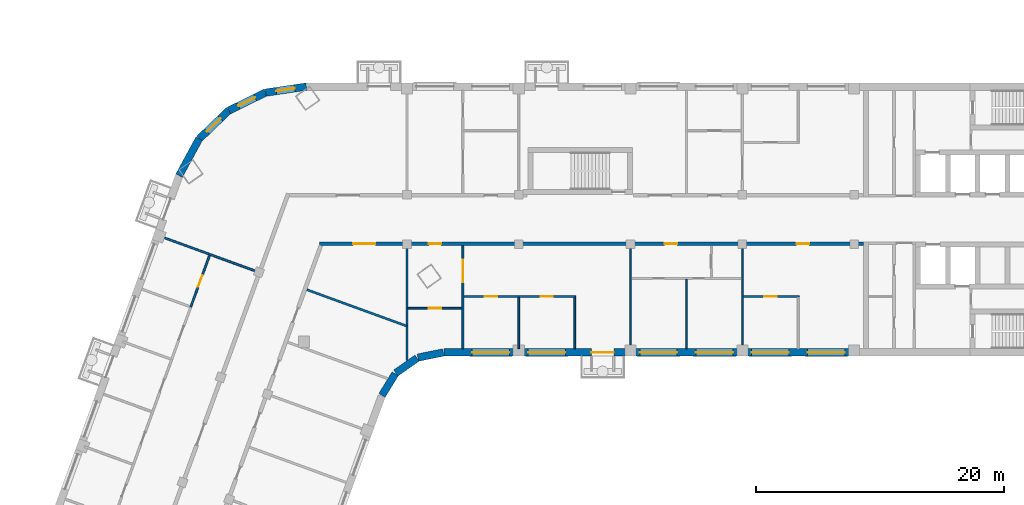
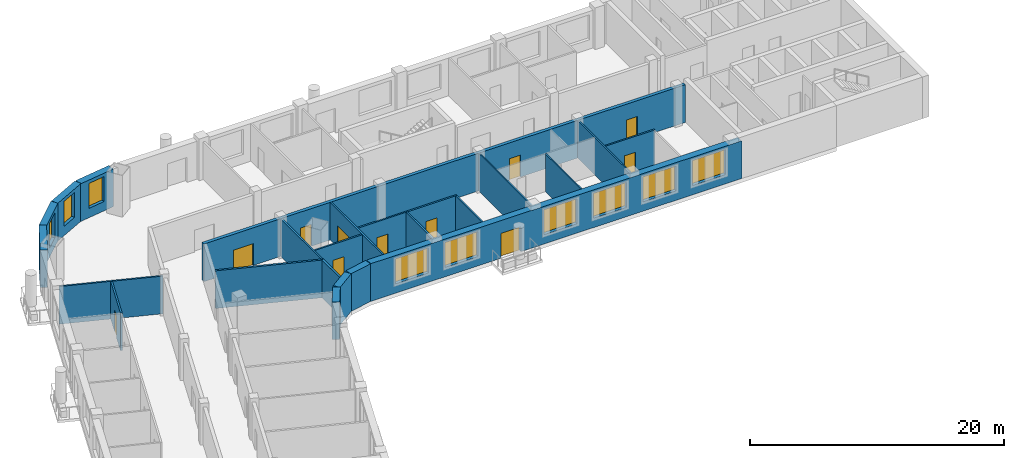
# One storey, part 4 of 15: 23 walls, 11 doors, 9 windows, 20 openings.
"""IFC4 building model written with IfcOpenShell, lengths in metres."""

from ifc_helpers import new_model, si_unit, direction, frame, frame_2d, origin, place, context, subcontext, project, spatial, rectangle, extrude, material, layer, layer_set, type_object, element, fill, save


model = new_model("IFC4")

# Units and contexts
model_context = context("Model", 3, precision=1e-05, world=origin(), true_north=direction((0.0, 1.0)))
body_context = subcontext(model_context, "Body", "Model", "MODEL_VIEW")
ifc_project = project(units=[si_unit("LENGTHUNIT", "METRE"), si_unit("AREAUNIT", "SQUARE_METRE"), si_unit("VOLUMEUNIT", "CUBIC_METRE"), si_unit("PLANEANGLEUNIT", "RADIAN"), si_unit("MASSUNIT", "GRAM", prefix="KILO")], contexts=[model_context])

# Site, building, storey
site_placement = place(None, origin())
site = spatial("IfcSite", under=ifc_project, at=site_placement, CompositionType="ELEMENT")
building_placement = place(site_placement, origin())
building = spatial("IfcBuilding", under=site, at=building_placement, Name="Skarvind Civic Tower", CompositionType="ELEMENT")
storey_placement = place(building_placement, frame((0.0, 0.0, 55.5)))
storey = spatial("IfcBuildingStorey", under=building, at=storey_placement, Name="L12", CompositionType="ELEMENT", Elevation=55.5)

# Walls
ifc_material_1 = material(Name="Acoustic gypsum board on steel studs", Category="steel")
ifc_layer_1 = layer(ifc_material_1, 0.175048828125)
ifc_layer_set_1 = layer_set([ifc_layer_1], Name="ACOUSTIC MEETING-ROOM PARTITION 175")
wall_type_1 = type_object("IfcWallType", Name="ACOUSTIC MEETING-ROOM PARTITION 175", PredefinedType="PARTITIONING", material=ifc_layer_set_1)
wall_1_placement = place(storey_placement, frame((54.25, 116.636962890625, 0.0), z_axis=(0.0, 0.0, 1.0), x_axis=(0.0, 1.0, 0.0)))
element("IfcWall", 1, at=wall_1_placement, inside=storey, type_object=wall_type_1, Name="Partition 12.018", PredefinedType="PARTITIONING", context=body_context, shape_type="SweptSolid", body=[
    extrude(rectangle(XDim=2.776123046875, YDim=0.175048828125, at=frame_2d((1.38818359375, 0.0))), origin(), (0.0, 0.0, 1.0), 3.625),
])
wall_2_placement = place(storey_placement, frame((54.320068359375, 119.384033203125, 0.0), z_axis=(0.0, 0.0, 1.0), x_axis=(-0.939632908118, 0.342184157994, 0.0)))
element("IfcWall", 2, at=wall_2_placement, inside=storey, type_object=wall_type_1, Name="Partition 12.019", PredefinedType="PARTITIONING", context=body_context, shape_type="SweptSolid", body=[
    extrude(rectangle(XDim=8.665283203125, YDim=0.175048828125, at=frame_2d((4.33251953125, 0.0))), origin(), (0.0, 0.0, 1.0), 3.625),
])

# Wall, openings, doors
ifc_material_2 = material(Name="Fire-rated gypsum board on steel studs", Category="steel")
ifc_layer_2 = layer(ifc_material_2, 0.300048828125)
ifc_layer_set_2 = layer_set([ifc_layer_2], Name="CORRIDOR WALL 300")
wall_type_2 = type_object("IfcWallType", Name="CORRIDOR WALL 300", PredefinedType="PARTITIONING", material=ifc_layer_set_2)
wall_3_placement = place(storey_placement, frame((91.0, 126.050048828125, 0.0), z_axis=(0.0, 0.0, 1.0), x_axis=(-1.0, 0.0, 0.0)))
wall_3 = element("IfcWall", 3, at=wall_3_placement, inside=storey, type_object=wall_type_2, Name="Partition 12.043", PredefinedType="PARTITIONING", context=body_context, shape_type="SweptSolid", body=[
    extrude(rectangle(XDim=43.784912109375, YDim=0.300048828125, at=frame_2d((21.892578125, 0.0))), origin(), (0.0, 0.0, 1.0), 3.625),
])
opening_1_placement = place(wall_3_placement, frame((4.375, 0.0, 0.0)))
opening_1 = element("IfcOpeningElement", 4, at=opening_1_placement, cuts=wall_3, Name="Opening L12-D010", PredefinedType="OPENING", context=body_context, shape_type="SweptSolid", body=[
    extrude(rectangle(XDim=1.0, YDim=2.10009765625, at=frame_2d((0.5, 1.050048828125))), frame((0.0, 0.159912109375, 0.0), z_axis=(0.0, -1.0, 0.0), x_axis=(1.0, 0.0, 0.0)), (0.0, 0.0, 1.0), 0.320068359375),
])
opening_2_placement = place(wall_3_placement, frame((15.0, 0.0, 0.0)))
opening_2 = element("IfcOpeningElement", 5, at=opening_2_placement, cuts=wall_3, Name="Opening L12-D011", PredefinedType="OPENING", context=body_context, shape_type="SweptSolid", body=[
    extrude(rectangle(XDim=1.0, YDim=2.10009765625, at=frame_2d((0.5, 1.050048828125))), frame((0.0, 0.159912109375, 0.0), z_axis=(0.0, -1.0, 0.0), x_axis=(1.0, 0.0, 0.0)), (0.0, 0.0, 1.0), 0.320068359375),
])
opening_3_placement = place(wall_3_placement, frame((34.0, 0.0, 0.0)))
opening_3 = element("IfcOpeningElement", 6, at=opening_3_placement, cuts=wall_3, Name="Opening L12-D015", PredefinedType="OPENING", context=body_context, shape_type="SweptSolid", body=[
    extrude(rectangle(XDim=1.0, YDim=2.10009765625, at=frame_2d((0.5, 1.050048828125))), frame((0.0, 0.159912109375, 0.0), z_axis=(0.0, -1.0, 0.0), x_axis=(1.0, 0.0, 0.0)), (0.0, 0.0, 1.0), 0.320068359375),
])
opening_4_placement = place(wall_3_placement, frame((39.2958984375, 0.0, 0.0)))
opening_4 = element("IfcOpeningElement", 7, at=opening_4_placement, cuts=wall_3, Name="Opening L12-D033", PredefinedType="OPENING", context=body_context, shape_type="SweptSolid", body=[
    extrude(rectangle(XDim=1.800048828125, YDim=2.10009765625, at=frame_2d((0.89990234375, 1.050048828125))), frame((0.0, 0.159912109375, 0.0), z_axis=(0.0, -1.0, 0.0), x_axis=(1.0, 0.0, 0.0)), (0.0, 0.0, 1.0), 0.320068359375),
])
ifc_material_3 = material(Name="Fire-rated timber door leaf", Category="wood")
door_type_1 = type_object("IfcDoorType", Name="FD1 1000x2100", OperationType="NOTDEFINED", PredefinedType="DOOR", material=ifc_material_3)
door_1_placement = place(opening_1_placement, origin())
door_1 = element("IfcDoor", 8, at=door_1_placement, inside=storey, type_object=door_type_1, Name="Door L12-D010", OperationType="SINGLE_SWING_LEFT", OverallHeight=2.10009765625, OverallWidth=1.0, PredefinedType="DOOR", context=body_context, shape_type="SweptSolid", body=[
    extrude(rectangle(XDim=1.0, YDim=2.10009765625, at=frame_2d((0.5, 1.050048828125))), frame((0.0, 0.02490234375, 0.0), z_axis=(0.0, -1.0, 0.0), x_axis=(1.0, 0.0, 0.0)), (0.0, 0.0, 1.0), 0.050048828125),
])
fill(opening_1, door_1)
door_2_placement = place(opening_2_placement, origin())
door_2 = element("IfcDoor", 9, at=door_2_placement, inside=storey, type_object=door_type_1, Name="Door L12-D011", OperationType="SINGLE_SWING_LEFT", OverallHeight=2.10009765625, OverallWidth=1.0, PredefinedType="DOOR", context=body_context, shape_type="SweptSolid", body=[
    extrude(rectangle(XDim=1.0, YDim=2.10009765625, at=frame_2d((0.5, 1.050048828125))), frame((0.0, 0.02490234375, 0.0), z_axis=(0.0, -1.0, 0.0), x_axis=(1.0, 0.0, 0.0)), (0.0, 0.0, 1.0), 0.050048828125),
])
fill(opening_2, door_2)
door_3_placement = place(opening_3_placement, origin())
door_3 = element("IfcDoor", 10, at=door_3_placement, inside=storey, type_object=door_type_1, Name="Door L12-D015", OperationType="SINGLE_SWING_LEFT", OverallHeight=2.10009765625, OverallWidth=1.0, PredefinedType="DOOR", context=body_context, shape_type="SweptSolid", body=[
    extrude(rectangle(XDim=1.0, YDim=2.10009765625, at=frame_2d((0.5, 1.050048828125))), frame((0.0, 0.02490234375, 0.0), z_axis=(0.0, -1.0, 0.0), x_axis=(1.0, 0.0, 0.0)), (0.0, 0.0, 1.0), 0.050048828125),
])
fill(opening_3, door_3)
door_type_2 = type_object("IfcDoorType", Name="FD4 1800x2100", OperationType="NOTDEFINED", PredefinedType="DOOR", material=ifc_material_3)
door_4_placement = place(opening_4_placement, origin())
door_4 = element("IfcDoor", 11, at=door_4_placement, inside=storey, type_object=door_type_2, Name="Door L12-D033", OperationType="DOUBLE_DOOR_SINGLE_SWING", OverallHeight=2.10009765625, OverallWidth=1.800048828125, PredefinedType="DOOR", context=body_context, shape_type="SweptSolid", body=[
    extrude(rectangle(XDim=1.800048828125, YDim=2.10009765625, at=frame_2d((0.89990234375, 1.050048828125))), frame((0.0, 0.02490234375, 0.0), z_axis=(0.0, -1.0, 0.0), x_axis=(1.0, 0.0, 0.0)), (0.0, 0.0, 1.0), 0.050048828125),
])
fill(opening_4, door_4)

# Wall
ifc_material_4 = material(Name="Plasterboard partition on steel studs", Category="steel")
ifc_layer_3 = layer(ifc_material_4, 0.14990234375)
ifc_layer_set_3 = layer_set([ifc_layer_3], Name="PARTITION 150")
wall_type_3 = type_object("IfcWallType", Name="PARTITION 150", PredefinedType="PARTITIONING", material=ifc_layer_set_3)
wall_4_placement = place(storey_placement, frame((34.430908203125, 126.6240234375, 0.0), z_axis=(0.0, 0.0, 1.0), x_axis=(0.939687752599, -0.342033518263, 0.0)))
element("IfcWall", 12, at=wall_4_placement, inside=storey, type_object=wall_type_3, Name="Partition 12.007", PredefinedType="PARTITIONING", context=body_context, shape_type="SweptSolid", body=[
    extrude(rectangle(XDim=8.30078125, YDim=0.14990234375, at=frame_2d((4.150390625, 0.0))), origin(), (0.0, 0.0, 1.0), 3.625),
])

# Wall, opening, door
wall_5_placement = place(storey_placement, frame((38.35205078125, 125.116943359375, 0.0), z_axis=(0.0, 0.0, 1.0), x_axis=(-0.34193355862, -0.939724130524, 0.0)))
wall_5 = element("IfcWall", 13, at=wall_5_placement, inside=storey, type_object=wall_type_3, Name="Partition 12.010", PredefinedType="PARTITIONING", context=body_context, shape_type="SweptSolid", body=[
    extrude(rectangle(XDim=4.424560546875, YDim=0.14990234375, at=frame_2d((2.21240234375, 0.0))), origin(), (0.0, 0.0, 1.0), 3.625),
])
opening_5_placement = place(wall_5_placement, frame((1.702392578125, 0.0, 0.0)))
opening_5 = element("IfcOpeningElement", 14, at=opening_5_placement, cuts=wall_5, Name="Opening L12-D024", PredefinedType="OPENING", context=body_context, shape_type="SweptSolid", body=[
    extrude(rectangle(XDim=1.0, YDim=2.10009765625, at=frame_2d((0.5, 1.050048828125))), frame((0.0, 0.0849609375, 0.0), z_axis=(0.0, -1.0, 0.0), x_axis=(1.0, 0.0, 0.0)), (0.0, 0.0, 1.0), 0.169921875),
])
ifc_material_5 = material(Name="Timber door leaf", Category="wood")
door_type_3 = type_object("IfcDoorType", Name="D1 1000x2100", OperationType="NOTDEFINED", PredefinedType="DOOR", material=ifc_material_5)
door_5_placement = place(opening_5_placement, origin())
door_5 = element("IfcDoor", 15, at=door_5_placement, inside=storey, type_object=door_type_3, Name="Door L12-D024", OperationType="SINGLE_SWING_RIGHT", OverallHeight=2.10009765625, OverallWidth=1.0, PredefinedType="DOOR", context=body_context, shape_type="SweptSolid", body=[
    extrude(rectangle(XDim=1.0, YDim=2.10009765625, at=frame_2d((0.5, 1.050048828125))), frame((0.0, 0.02490234375, 0.0), z_axis=(0.0, -1.0, 0.0), x_axis=(1.0, 0.0, 0.0)), (0.0, 0.0, 1.0), 0.050048828125),
])
fill(opening_5, door_5)

# Wall
wall_6_placement = place(storey_placement, frame((54.25, 119.498046875, 0.0), z_axis=(0.0, 0.0, 1.0), x_axis=(0.0, 1.0, 0.0)))
element("IfcWall", 16, at=wall_6_placement, inside=storey, type_object=wall_type_3, Name="Partition 12.020", PredefinedType="PARTITIONING", context=body_context, shape_type="SweptSolid", body=[
    extrude(rectangle(XDim=6.40185546875, YDim=0.14990234375, at=frame_2d((3.200927734375, 0.0))), origin(), (0.0, 0.0, 1.0), 3.625),
])

# Wall, opening, door
wall_7_placement = place(storey_placement, frame((54.324951171875, 120.85009765625, 0.0), z_axis=(0.0, 0.0, 1.0), x_axis=(1.0, 0.0, 0.0)))
wall_7 = element("IfcWall", 17, at=wall_7_placement, inside=storey, type_object=wall_type_3, Name="Partition 12.021", PredefinedType="PARTITIONING", context=body_context, shape_type="SweptSolid", body=[
    extrude(rectangle(XDim=4.35009765625, YDim=0.14990234375, at=frame_2d((2.175048828125, 0.0))), origin(), (0.0, 0.0, 1.0), 3.625),
])
opening_6_placement = place(wall_7_placement, frame((1.675048828125, 0.0, 0.0)))
opening_6 = element("IfcOpeningElement", 18, at=opening_6_placement, cuts=wall_7, Name="Opening L12-D018", PredefinedType="OPENING", context=body_context, shape_type="SweptSolid", body=[
    extrude(rectangle(XDim=1.0, YDim=2.10009765625, at=frame_2d((0.5, 1.050048828125))), frame((0.0, 0.0849609375, 0.0), z_axis=(0.0, -1.0, 0.0), x_axis=(1.0, 0.0, 0.0)), (0.0, 0.0, 1.0), 0.169921875),
])
door_6_placement = place(opening_6_placement, origin())
door_6 = element("IfcDoor", 19, at=door_6_placement, inside=storey, type_object=door_type_3, Name="Door L12-D018", OperationType="SINGLE_SWING_LEFT", OverallHeight=2.10009765625, OverallWidth=1.0, PredefinedType="DOOR", context=body_context, shape_type="SweptSolid", body=[
    extrude(rectangle(XDim=1.0, YDim=2.10009765625, at=frame_2d((0.5, 1.050048828125))), frame((0.0, 0.02490234375, 0.0), z_axis=(0.0, -1.0, 0.0), x_axis=(1.0, 0.0, 0.0)), (0.0, 0.0, 1.0), 0.050048828125),
])
fill(opening_6, door_6)

wall_8_placement = place(storey_placement, frame((58.75, 117.60009765625, 0.0), z_axis=(0.0, 0.0, 1.0), x_axis=(0.0, 1.0, 0.0)))
wall_8 = element("IfcWall", 20, at=wall_8_placement, inside=storey, type_object=wall_type_3, Name="Partition 12.023", PredefinedType="PARTITIONING", context=body_context, shape_type="SweptSolid", body=[
    extrude(rectangle(XDim=8.2998046875, YDim=0.14990234375, at=frame_2d((4.14990234375, 0.0))), origin(), (0.0, 0.0, 1.0), 3.625),
])
opening_7_placement = place(wall_8_placement, frame((5.360107421875, 0.0, 0.0)))
opening_7 = element("IfcOpeningElement", 21, at=opening_7_placement, cuts=wall_8, Name="Opening L12-D019", PredefinedType="OPENING", context=body_context, shape_type="SweptSolid", body=[
    extrude(rectangle(XDim=1.800048828125, YDim=2.10009765625, at=frame_2d((0.89990234375, 1.050048828125))), frame((0.0, 0.0849609375, 0.0), z_axis=(0.0, -1.0, 0.0), x_axis=(1.0, 0.0, 0.0)), (0.0, 0.0, 1.0), 0.169921875),
])
door_type_4 = type_object("IfcDoorType", Name="D4 1800x2100", OperationType="NOTDEFINED", PredefinedType="DOOR", material=ifc_material_5)
door_7_placement = place(opening_7_placement, origin())
door_7 = element("IfcDoor", 22, at=door_7_placement, inside=storey, type_object=door_type_4, Name="Door L12-D019", OperationType="DOUBLE_DOOR_SINGLE_SWING", OverallHeight=2.10009765625, OverallWidth=1.800048828125, PredefinedType="DOOR", context=body_context, shape_type="SweptSolid", body=[
    extrude(rectangle(XDim=1.800048828125, YDim=2.10009765625, at=frame_2d((0.89990234375, 1.050048828125))), frame((0.0, 0.02490234375, 0.0), z_axis=(0.0, -1.0, 0.0), x_axis=(1.0, 0.0, 0.0)), (0.0, 0.0, 1.0), 0.050048828125),
])
fill(opening_7, door_7)

# Wall, openings, doors
wall_9_placement = place(storey_placement, frame((58.824951171875, 121.800048828125, 0.0), z_axis=(0.0, 0.0, 1.0), x_axis=(1.0, 0.0, 0.0)))
wall_9 = element("IfcWall", 23, at=wall_9_placement, inside=storey, type_object=wall_type_3, Name="Partition 12.024", PredefinedType="PARTITIONING", context=body_context, shape_type="SweptSolid", body=[
    extrude(rectangle(XDim=9.0, YDim=0.14990234375, at=frame_2d((4.5, 0.0))), origin(), (0.0, 0.0, 1.0), 3.625),
])
opening_8_placement = place(wall_9_placement, frame((1.702392578125, 0.0, 0.0)))
opening_8 = element("IfcOpeningElement", 24, at=opening_8_placement, cuts=wall_9, Name="Opening L12-D016", PredefinedType="OPENING", context=body_context, shape_type="SweptSolid", body=[
    extrude(rectangle(XDim=1.0, YDim=2.10009765625, at=frame_2d((0.5, 1.050048828125))), frame((0.0, 0.0849609375, 0.0), z_axis=(0.0, -1.0, 0.0), x_axis=(1.0, 0.0, 0.0)), (0.0, 0.0, 1.0), 0.169921875),
])
opening_9_placement = place(wall_9_placement, frame((6.175048828125, 0.0, 0.0)))
opening_9 = element("IfcOpeningElement", 25, at=opening_9_placement, cuts=wall_9, Name="Opening L12-D017", PredefinedType="OPENING", context=body_context, shape_type="SweptSolid", body=[
    extrude(rectangle(XDim=1.0, YDim=2.10009765625, at=frame_2d((0.5, 1.050048828125))), frame((0.0, 0.0849609375, 0.0), z_axis=(0.0, -1.0, 0.0), x_axis=(1.0, 0.0, 0.0)), (0.0, 0.0, 1.0), 0.169921875),
])
door_8_placement = place(opening_8_placement, origin())
door_8 = element("IfcDoor", 26, at=door_8_placement, inside=storey, type_object=door_type_3, Name="Door L12-D016", OperationType="SINGLE_SWING_LEFT", OverallHeight=2.10009765625, OverallWidth=1.0, PredefinedType="DOOR", context=body_context, shape_type="SweptSolid", body=[
    extrude(rectangle(XDim=1.0, YDim=2.10009765625, at=frame_2d((0.5, 1.050048828125))), frame((0.0, 0.02490234375, 0.0), z_axis=(0.0, -1.0, 0.0), x_axis=(1.0, 0.0, 0.0)), (0.0, 0.0, 1.0), 0.050048828125),
])
fill(opening_8, door_8)
door_9_placement = place(opening_9_placement, origin())
door_9 = element("IfcDoor", 27, at=door_9_placement, inside=storey, type_object=door_type_3, Name="Door L12-D017", OperationType="SINGLE_SWING_RIGHT", OverallHeight=2.10009765625, OverallWidth=1.0, PredefinedType="DOOR", context=body_context, shape_type="SweptSolid", body=[
    extrude(rectangle(XDim=1.0, YDim=2.10009765625, at=frame_2d((0.5, 1.050048828125))), frame((0.0, 0.02490234375, 0.0), z_axis=(0.0, -1.0, 0.0), x_axis=(1.0, 0.0, 0.0)), (0.0, 0.0, 1.0), 0.050048828125),
])
fill(opening_9, door_9)

# Walls
for number, where, z_axis, x_axis, name in (
    (28, (63.25, 121.72509765625, 0.0), (0.0, 0.0, 1.0), (0.0, -1.0, 0.0), "Partition 12.026"),
    (29, (67.75, 117.60009765625, 0.0), (0.0, 0.0, 1.0), (0.0, 1.0, 0.0), "Partition 12.029"),
):
    element("IfcWall", number, at=place(storey_placement, frame(where, z_axis=z_axis, x_axis=x_axis)), inside=storey, type_object=wall_type_3, Name=name, PredefinedType="PARTITIONING", context=body_context, shape_type="SweptSolid", body=[
        extrude(rectangle(XDim=4.125, YDim=0.14990234375, at=frame_2d((2.0625, 0.0))), origin(), (0.0, 0.0, 1.0), 3.625),
    ])

# Wall, opening, door
wall_10_placement = place(storey_placement, frame((81.31201171875, 121.800048828125, 0.0), z_axis=(0.0, 0.0, 1.0), x_axis=(1.0, 0.0, 0.0)))
wall_10 = element("IfcWall", 30, at=wall_10_placement, inside=storey, type_object=wall_type_3, Name="Partition 12.041", PredefinedType="PARTITIONING", context=body_context, shape_type="SweptSolid", body=[
    extrude(rectangle(XDim=4.512939453125, YDim=0.14990234375, at=frame_2d((2.25634765625, 0.0))), origin(), (0.0, 0.0, 1.0), 3.625),
])
opening_10_placement = place(wall_10_placement, frame((1.708984375, 0.0, 0.0)))
opening_10 = element("IfcOpeningElement", 31, at=opening_10_placement, cuts=wall_10, Name="Opening L12-D009", PredefinedType="OPENING", context=body_context, shape_type="SweptSolid", body=[
    extrude(rectangle(XDim=1.0, YDim=2.10009765625, at=frame_2d((0.5, 1.050048828125))), frame((0.0, 0.0849609375, 0.0), z_axis=(0.0, -1.0, 0.0), x_axis=(1.0, 0.0, 0.0)), (0.0, 0.0, 1.0), 0.169921875),
])
door_10_placement = place(opening_10_placement, origin())
door_10 = element("IfcDoor", 32, at=door_10_placement, inside=storey, type_object=door_type_3, Name="Door L12-D009", OperationType="SINGLE_SWING_LEFT", OverallHeight=2.10009765625, OverallWidth=1.0, PredefinedType="DOOR", context=body_context, shape_type="SweptSolid", body=[
    extrude(rectangle(XDim=1.0, YDim=2.10009765625, at=frame_2d((0.5, 1.050048828125))), frame((0.0, 0.02490234375, 0.0), z_axis=(0.0, -1.0, 0.0), x_axis=(1.0, 0.0, 0.0)), (0.0, 0.0, 1.0), 0.050048828125),
])
fill(opening_10, door_10)

# Walls
ifc_material_6 = material(Name="Moisture-resistant gypsum board on steel studs", Category="steel")
ifc_layer_4 = layer(ifc_material_6, 0.125)
ifc_layer_set_4 = layer_set([ifc_layer_4], Name="WC PARTITION 125")
wall_type_4 = type_object("IfcWallType", Name="WC PARTITION 125", PredefinedType="PARTITIONING", material=ifc_layer_set_4)
wall_11_placement = place(storey_placement, frame((72.25, 117.60009765625, 0.0), z_axis=(0.0, 0.0, 1.0), x_axis=(0.0, 1.0, 0.0)))
element("IfcWall", 33, at=wall_11_placement, inside=storey, type_object=wall_type_4, Name="Partition 12.030", PredefinedType="PARTITIONING", context=body_context, shape_type="SweptSolid", body=[
    extrude(rectangle(XDim=8.2998046875, YDim=0.125, at=frame_2d((4.14990234375, 0.0))), origin(), (0.0, 0.0, 1.0), 3.625),
])
wall_12_placement = place(storey_placement, frame((76.75, 117.60009765625, 0.0), z_axis=(0.0, 0.0, 1.0), x_axis=(0.0, 1.0, 0.0)))
element("IfcWall", 34, at=wall_12_placement, inside=storey, type_object=wall_type_4, Name="Partition 12.033", PredefinedType="PARTITIONING", context=body_context, shape_type="SweptSolid", body=[
    extrude(rectangle(XDim=5.587890625, YDim=0.125, at=frame_2d((2.7939453125, 0.0))), origin(), (0.0, 0.0, 1.0), 3.625),
])
wall_13_placement = place(storey_placement, frame((81.25, 117.60009765625, 0.0), z_axis=(0.0, 0.0, 1.0), x_axis=(0.0, 1.0, 0.0)))
element("IfcWall", 35, at=wall_13_placement, inside=storey, type_object=wall_type_4, Name="Partition 12.036", PredefinedType="PARTITIONING", context=body_context, shape_type="SweptSolid", body=[
    extrude(rectangle(XDim=8.2998046875, YDim=0.125, at=frame_2d((4.14990234375, 0.0))), origin(), (0.0, 0.0, 1.0), 3.625),
])
ifc_material_7 = material(Name="Limestone masonry cladding on insulated backing", Category="masonry")
ifc_layer_5 = layer(ifc_material_7, 0.60009765625)
ifc_layer_set_5 = layer_set([ifc_layer_5], Name="WX1 STONE FACADE WALL 600")
wall_type_5 = type_object("IfcWallType", Name="WX1 STONE FACADE WALL 600", PredefinedType="SOLIDWALL", material=ifc_layer_set_5)
wall_14_placement = place(storey_placement, frame((53.30517578125, 115.578369140625, 0.0), z_axis=(0.0, 0.0, 1.0), x_axis=(-0.522402266438, -0.852699168535, 0.0)))
element("IfcWall", 36, at=wall_14_placement, inside=storey, type_object=wall_type_5, Name="STONE FACADE WALL", PredefinedType="SOLIDWALL", context=body_context, shape_type="SweptSolid", body=[
    extrude(rectangle(XDim=2.042236328125, YDim=0.60009765625, at=frame_2d((1.02099609375, 0.0))), origin(), (0.0, 0.0, 1.0), 3.625),
])
for number, where, z_axis, x_axis, name in (
    (37, (55.061767578125, 116.8388671875, 0.0), (0.0, 0.0, 1.0), (-0.819122269495, -0.573618956815, 0.0), "STONE FACADE WALL"),
    (38, (57.17529296875, 117.2939453125, 0.0), (0.0, 0.0, 1.0), (-0.97996099083, -0.19918949885, 0.0), "STONE FACADE WALL"),
):
    element("IfcWall", number, at=place(storey_placement, frame(where, z_axis=z_axis, x_axis=x_axis)), inside=storey, type_object=wall_type_5, Name=name, PredefinedType="SOLIDWALL", context=body_context, shape_type="SweptSolid", body=[
        extrude(rectangle(XDim=2.09228515625, YDim=0.60009765625, at=frame_2d((1.046142578125, 0.0))), origin(), (0.0, 0.0, 1.0), 3.625),
    ])

# Wall, openings, door, windows
wall_15_placement = place(storey_placement, frame((90.97998046875, 117.300048828125, 0.0), z_axis=(0.0, 0.0, 1.0), x_axis=(-1.0, 0.0, 0.0)))
wall_15 = element("IfcWall", 39, at=wall_15_placement, inside=storey, type_object=wall_type_5, Name="STONE FACADE WALL", PredefinedType="SOLIDWALL", context=body_context, shape_type="SweptSolid", body=[
    extrude(rectangle(XDim=33.744873046875, YDim=0.60009765625, at=frame_2d((16.87255859375, 0.0))), origin(), (0.0, 0.0, 1.0), 3.625),
])
opening_11_placement = place(wall_15_placement, frame((1.47998046875, 0.0, 0.89990234375)))
opening_11 = element("IfcOpeningElement", 40, at=opening_11_placement, cuts=wall_15, Name="Opening WN1", PredefinedType="OPENING", context=body_context, shape_type="SweptSolid", body=[
    extrude(rectangle(XDim=3.0, YDim=2.39990234375, at=frame_2d((1.5, 1.199951171875))), frame((0.0, 0.31005859375, 0.0), z_axis=(0.0, -1.0, 0.0), x_axis=(1.0, 0.0, 0.0)), (0.0, 0.0, 1.0), 0.6201171875),
])
opening_12_placement = place(wall_15_placement, frame((5.97998046875, 0.0, 0.89990234375)))
opening_12 = element("IfcOpeningElement", 41, at=opening_12_placement, cuts=wall_15, Name="Opening WN1", PredefinedType="OPENING", context=body_context, shape_type="SweptSolid", body=[
    extrude(rectangle(XDim=3.0, YDim=2.39990234375, at=frame_2d((1.5, 1.199951171875))), frame((0.0, 0.31005859375, 0.0), z_axis=(0.0, -1.0, 0.0), x_axis=(1.0, 0.0, 0.0)), (0.0, 0.0, 1.0), 0.6201171875),
])
opening_13_placement = place(wall_15_placement, frame((10.47998046875, 0.0, 0.89990234375)))
opening_13 = element("IfcOpeningElement", 42, at=opening_13_placement, cuts=wall_15, Name="Opening WN1", PredefinedType="OPENING", context=body_context, shape_type="SweptSolid", body=[
    extrude(rectangle(XDim=3.0, YDim=2.39990234375, at=frame_2d((1.5, 1.199951171875))), frame((0.0, 0.31005859375, 0.0), z_axis=(0.0, -1.0, 0.0), x_axis=(1.0, 0.0, 0.0)), (0.0, 0.0, 1.0), 0.6201171875),
])
opening_14_placement = place(wall_15_placement, frame((14.97998046875, 0.0, 0.89990234375)))
opening_14 = element("IfcOpeningElement", 43, at=opening_14_placement, cuts=wall_15, Name="Opening WN1", PredefinedType="OPENING", context=body_context, shape_type="SweptSolid", body=[
    extrude(rectangle(XDim=3.0, YDim=2.39990234375, at=frame_2d((1.5, 1.199951171875))), frame((0.0, 0.31005859375, 0.0), z_axis=(0.0, -1.0, 0.0), x_axis=(1.0, 0.0, 0.0)), (0.0, 0.0, 1.0), 0.6201171875),
])
opening_15_placement = place(wall_15_placement, frame((20.080078125, 0.0, 0.0)))
opening_15 = element("IfcOpeningElement", 44, at=opening_15_placement, cuts=wall_15, Name="Opening DX3", PredefinedType="OPENING", context=body_context, shape_type="SweptSolid", body=[
    extrude(rectangle(XDim=1.800048828125, YDim=2.39990234375, at=frame_2d((0.89990234375, 1.199951171875))), frame((0.0, 0.31005859375, 0.0), z_axis=(0.0, -1.0, 0.0), x_axis=(1.0, 0.0, 0.0)), (0.0, 0.0, 1.0), 0.6201171875),
])
opening_16_placement = place(wall_15_placement, frame((23.97998046875, 0.0, 0.89990234375)))
opening_16 = element("IfcOpeningElement", 45, at=opening_16_placement, cuts=wall_15, Name="Opening WN1", PredefinedType="OPENING", context=body_context, shape_type="SweptSolid", body=[
    extrude(rectangle(XDim=3.0, YDim=2.39990234375, at=frame_2d((1.5, 1.199951171875))), frame((0.0, 0.31005859375, 0.0), z_axis=(0.0, -1.0, 0.0), x_axis=(1.0, 0.0, 0.0)), (0.0, 0.0, 1.0), 0.6201171875),
])
opening_17_placement = place(wall_15_placement, frame((28.47998046875, 0.0, 0.89990234375)))
opening_17 = element("IfcOpeningElement", 46, at=opening_17_placement, cuts=wall_15, Name="Opening WN1", PredefinedType="OPENING", context=body_context, shape_type="SweptSolid", body=[
    extrude(rectangle(XDim=3.0, YDim=2.39990234375, at=frame_2d((1.5, 1.199951171875))), frame((0.0, 0.31005859375, 0.0), z_axis=(0.0, -1.0, 0.0), x_axis=(1.0, 0.0, 0.0)), (0.0, 0.0, 1.0), 0.6201171875),
])
ifc_material_8 = material(Name="Timber and glass doorset", Category="wood")
door_type_5 = type_object("IfcDoorType", Name="DX3 TERRACE DOORS 1800 x 2400", OperationType="NOTDEFINED", PredefinedType="DOOR", material=ifc_material_8)
door_11_placement = place(opening_15_placement, origin())
door_11 = element("IfcDoor", 47, at=door_11_placement, inside=storey, type_object=door_type_5, Name="TERRACE DOORS", OperationType="DOUBLE_DOOR_SINGLE_SWING", OverallHeight=2.39990234375, OverallWidth=1.800048828125, PredefinedType="DOOR", context=body_context, shape_type="SweptSolid", body=[
    extrude(rectangle(XDim=1.800048828125, YDim=2.39990234375, at=frame_2d((0.89990234375, 1.199951171875))), frame((0.0, 0.02490234375, 0.0), z_axis=(0.0, -1.0, 0.0), x_axis=(1.0, 0.0, 0.0)), (0.0, 0.0, 1.0), 0.050048828125),
])
fill(opening_15, door_11)
ifc_material_9 = material(Name="Timber frame, double glazing, timber-lined reveal", Category="wood")
window_type_1 = type_object("IfcWindowType", Name="WN1 PUNCHED STONE WINDOW 3000 x 2400", PartitioningType="SINGLE_PANEL", PredefinedType="WINDOW", material=ifc_material_9)
window_1_placement = place(opening_11_placement, origin())
window_1 = element("IfcWindow", 48, at=window_1_placement, inside=storey, type_object=window_type_1, Name="WN1 WINDOW", OverallHeight=2.39990234375, OverallWidth=3.0, PartitioningType="SINGLE_PANEL", PredefinedType="WINDOW", context=body_context, shape_type="SweptSolid", body=[
    extrude(rectangle(XDim=3.0, YDim=2.39990234375, at=frame_2d((1.5, 1.199951171875))), frame((0.0, 0.030029296875, 0.0), z_axis=(0.0, -1.0, 0.0), x_axis=(1.0, 0.0, 0.0)), (0.0, 0.0, 1.0), 0.06005859375),
])
fill(opening_11, window_1)
window_2_placement = place(opening_12_placement, origin())
window_2 = element("IfcWindow", 49, at=window_2_placement, inside=storey, type_object=window_type_1, Name="WN1 WINDOW", OverallHeight=2.39990234375, OverallWidth=3.0, PartitioningType="SINGLE_PANEL", PredefinedType="WINDOW", context=body_context, shape_type="SweptSolid", body=[
    extrude(rectangle(XDim=3.0, YDim=2.39990234375, at=frame_2d((1.5, 1.199951171875))), frame((0.0, 0.030029296875, 0.0), z_axis=(0.0, -1.0, 0.0), x_axis=(1.0, 0.0, 0.0)), (0.0, 0.0, 1.0), 0.06005859375),
])
fill(opening_12, window_2)
window_3_placement = place(opening_13_placement, origin())
window_3 = element("IfcWindow", 50, at=window_3_placement, inside=storey, type_object=window_type_1, Name="WN1 WINDOW", OverallHeight=2.39990234375, OverallWidth=3.0, PartitioningType="SINGLE_PANEL", PredefinedType="WINDOW", context=body_context, shape_type="SweptSolid", body=[
    extrude(rectangle(XDim=3.0, YDim=2.39990234375, at=frame_2d((1.5, 1.199951171875))), frame((0.0, 0.030029296875, 0.0), z_axis=(0.0, -1.0, 0.0), x_axis=(1.0, 0.0, 0.0)), (0.0, 0.0, 1.0), 0.06005859375),
])
fill(opening_13, window_3)
window_4_placement = place(opening_14_placement, origin())
window_4 = element("IfcWindow", 51, at=window_4_placement, inside=storey, type_object=window_type_1, Name="WN1 WINDOW", OverallHeight=2.39990234375, OverallWidth=3.0, PartitioningType="SINGLE_PANEL", PredefinedType="WINDOW", context=body_context, shape_type="SweptSolid", body=[
    extrude(rectangle(XDim=3.0, YDim=2.39990234375, at=frame_2d((1.5, 1.199951171875))), frame((0.0, 0.030029296875, 0.0), z_axis=(0.0, -1.0, 0.0), x_axis=(1.0, 0.0, 0.0)), (0.0, 0.0, 1.0), 0.06005859375),
])
fill(opening_14, window_4)
window_5_placement = place(opening_16_placement, origin())
window_5 = element("IfcWindow", 52, at=window_5_placement, inside=storey, type_object=window_type_1, Name="WN1 WINDOW", OverallHeight=2.39990234375, OverallWidth=3.0, PartitioningType="SINGLE_PANEL", PredefinedType="WINDOW", context=body_context, shape_type="SweptSolid", body=[
    extrude(rectangle(XDim=3.0, YDim=2.39990234375, at=frame_2d((1.5, 1.199951171875))), frame((0.0, 0.030029296875, 0.0), z_axis=(0.0, -1.0, 0.0), x_axis=(1.0, 0.0, 0.0)), (0.0, 0.0, 1.0), 0.06005859375),
])
fill(opening_16, window_5)
window_6_placement = place(opening_17_placement, origin())
window_6 = element("IfcWindow", 53, at=window_6_placement, inside=storey, type_object=window_type_1, Name="WN1 WINDOW", OverallHeight=2.39990234375, OverallWidth=3.0, PartitioningType="SINGLE_PANEL", PredefinedType="WINDOW", context=body_context, shape_type="SweptSolid", body=[
    extrude(rectangle(XDim=3.0, YDim=2.39990234375, at=frame_2d((1.5, 1.199951171875))), frame((0.0, 0.030029296875, 0.0), z_axis=(0.0, -1.0, 0.0), x_axis=(1.0, 0.0, 0.0)), (0.0, 0.0, 1.0), 0.06005859375),
])
fill(opening_17, window_6)

# Wall, opening, window
wall_16_placement = place(storey_placement, frame((42.872802734375, 138.21728515625, 0.0), z_axis=(0.0, 0.0, 1.0), x_axis=(0.989110792192, 0.14717282619, 0.0)))
wall_16 = element("IfcWall", 54, at=wall_16_placement, inside=storey, type_object=wall_type_5, Name="STONE FACADE WALL", PredefinedType="SOLIDWALL", context=body_context, shape_type="SweptSolid", body=[
    extrude(rectangle(XDim=3.302734375, YDim=0.60009765625, at=frame_2d((1.6513671875, 0.0))), origin(), (0.0, 0.0, 1.0), 3.625),
])
opening_18_placement = place(wall_16_placement, frame((0.8564453125, 0.0, 0.89990234375)))
opening_18 = element("IfcOpeningElement", 55, at=opening_18_placement, cuts=wall_16, Name="Opening WN8", PredefinedType="OPENING", context=body_context, shape_type="SweptSolid", body=[
    extrude(rectangle(XDim=1.5, YDim=2.39990234375, at=frame_2d((0.75, 1.199951171875))), frame((0.0, 0.31005859375, 0.0), z_axis=(0.0, -1.0, 0.0), x_axis=(1.0, 0.0, 0.0)), (0.0, 0.0, 1.0), 0.6201171875),
])
window_type_2 = type_object("IfcWindowType", Name="WN8 ARC BAY WINDOW 1500 x 2400", PartitioningType="SINGLE_PANEL", PredefinedType="WINDOW", material=ifc_material_9)
window_7_placement = place(opening_18_placement, origin())
window_7 = element("IfcWindow", 56, at=window_7_placement, inside=storey, type_object=window_type_2, Name="WN8 WINDOW", OverallHeight=2.39990234375, OverallWidth=1.5, PartitioningType="SINGLE_PANEL", PredefinedType="WINDOW", context=body_context, shape_type="SweptSolid", body=[
    extrude(rectangle(XDim=1.5, YDim=2.39990234375, at=frame_2d((0.75, 1.199951171875))), frame((0.0, 0.030029296875, 0.0), z_axis=(0.0, -1.0, 0.0), x_axis=(1.0, 0.0, 0.0)), (0.0, 0.0, 1.0), 0.06005859375),
])
fill(opening_18, window_7)

wall_17_placement = place(storey_placement, frame((39.9072265625, 136.77587890625, 0.0), z_axis=(0.0, 0.0, 1.0), x_axis=(0.89761231107, 0.440785819889, 0.0)))
wall_17 = element("IfcWall", 57, at=wall_17_placement, inside=storey, type_object=wall_type_5, Name="STONE FACADE WALL", PredefinedType="SOLIDWALL", context=body_context, shape_type="SweptSolid", body=[
    extrude(rectangle(XDim=3.302734375, YDim=0.60009765625, at=frame_2d((1.6513671875, 0.0))), origin(), (0.0, 0.0, 1.0), 3.625),
])
opening_19_placement = place(wall_17_placement, frame((0.8564453125, 0.0, 0.89990234375)))
opening_19 = element("IfcOpeningElement", 58, at=opening_19_placement, cuts=wall_17, Name="Opening WN8", PredefinedType="OPENING", context=body_context, shape_type="SweptSolid", body=[
    extrude(rectangle(XDim=1.5, YDim=2.39990234375, at=frame_2d((0.75, 1.199951171875))), frame((0.0, 0.31005859375, 0.0), z_axis=(0.0, -1.0, 0.0), x_axis=(1.0, 0.0, 0.0)), (0.0, 0.0, 1.0), 0.6201171875),
])
window_8_placement = place(opening_19_placement, origin())
window_8 = element("IfcWindow", 59, at=window_8_placement, inside=storey, type_object=window_type_2, Name="WN8 WINDOW", OverallHeight=2.39990234375, OverallWidth=1.5, PartitioningType="SINGLE_PANEL", PredefinedType="WINDOW", context=body_context, shape_type="SweptSolid", body=[
    extrude(rectangle(XDim=1.5, YDim=2.39990234375, at=frame_2d((0.75, 1.199951171875))), frame((0.0, 0.030029296875, 0.0), z_axis=(0.0, -1.0, 0.0), x_axis=(1.0, 0.0, 0.0)), (0.0, 0.0, 1.0), 0.06005859375),
])
fill(opening_19, window_8)

wall_18_placement = place(storey_placement, frame((37.520263671875, 134.501220703125, 0.0), z_axis=(0.0, 0.0, 1.0), x_axis=(0.72115684486, 0.692771827596, 0.0)))
wall_18 = element("IfcWall", 60, at=wall_18_placement, inside=storey, type_object=wall_type_5, Name="STONE FACADE WALL", PredefinedType="SOLIDWALL", context=body_context, shape_type="SweptSolid", body=[
    extrude(rectangle(XDim=3.302734375, YDim=0.60009765625, at=frame_2d((1.6513671875, 0.0))), origin(), (0.0, 0.0, 1.0), 3.625),
])
opening_20_placement = place(wall_18_placement, frame((0.8564453125, 0.0, 0.89990234375)))
opening_20 = element("IfcOpeningElement", 61, at=opening_20_placement, cuts=wall_18, Name="Opening WN8", PredefinedType="OPENING", context=body_context, shape_type="SweptSolid", body=[
    extrude(rectangle(XDim=1.5, YDim=2.39990234375, at=frame_2d((0.75, 1.199951171875))), frame((0.0, 0.31005859375, 0.0), z_axis=(0.0, -1.0, 0.0), x_axis=(1.0, 0.0, 0.0)), (0.0, 0.0, 1.0), 0.6201171875),
])
window_9_placement = place(opening_20_placement, origin())
window_9 = element("IfcWindow", 62, at=window_9_placement, inside=storey, type_object=window_type_2, Name="WN8 WINDOW", OverallHeight=2.39990234375, OverallWidth=1.5, PartitioningType="SINGLE_PANEL", PredefinedType="WINDOW", context=body_context, shape_type="SweptSolid", body=[
    extrude(rectangle(XDim=1.5, YDim=2.39990234375, at=frame_2d((0.75, 1.199951171875))), frame((0.0, 0.030029296875, 0.0), z_axis=(0.0, -1.0, 0.0), x_axis=(1.0, 0.0, 0.0)), (0.0, 0.0, 1.0), 0.06005859375),
])
fill(opening_20, window_9)

# Wall
wall_19_placement = place(storey_placement, frame((35.89453125, 131.529541015625, 0.0), z_axis=(0.0, 0.0, 1.0), x_axis=(0.476531180538, 0.879157570618, 0.0)))
element("IfcWall", 63, at=wall_19_placement, inside=storey, type_object=wall_type_5, Name="STONE FACADE WALL", PredefinedType="SOLIDWALL", context=body_context, shape_type="SweptSolid", body=[
    extrude(rectangle(XDim=3.392578125, YDim=0.60009765625, at=frame_2d((1.6962890625, 0.0))), origin(), (0.0, 0.0, 1.0), 3.625),
])

save(model, "model.ifc")
